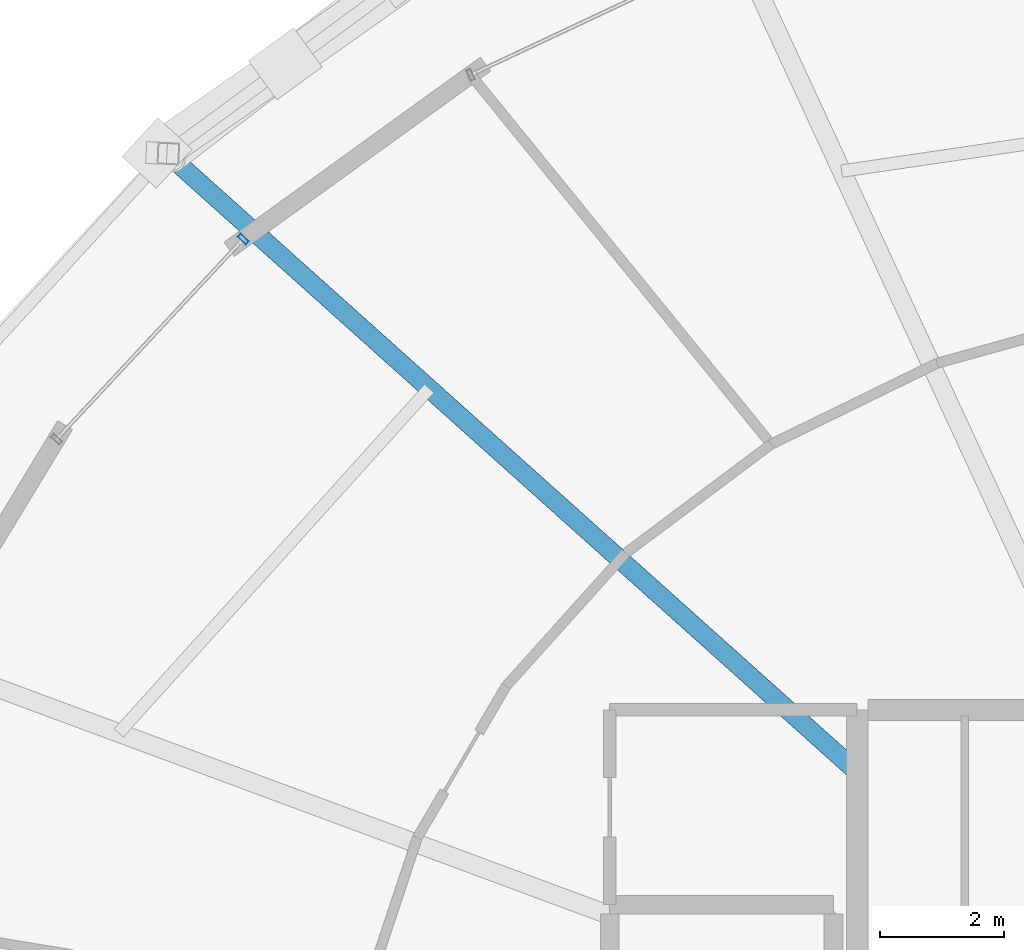
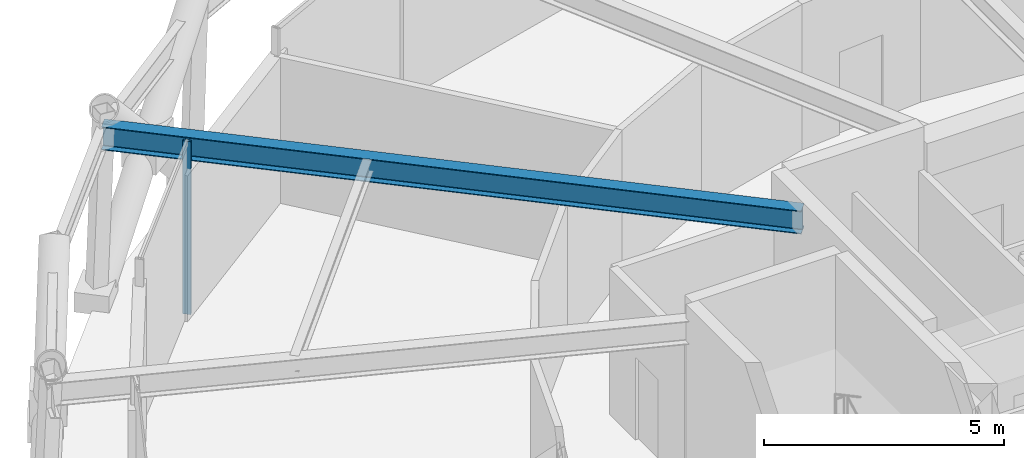
# One storey, part 16 of 29: 1 beam, 1 member, 1 element without a shape of its own.
"""IFC4 building model written with IfcOpenShell, lengths in metres."""

import ifcopenshell
import ifcopenshell.guid

model = None  # the IFC model being written
_history = None  # IfcOwnerHistory: only IFC2X3 demands one
_inside = {}  # id of a spatial element -> (the spatial element, [elements in it])
_under = {}  # id of a project, library or spatial element -> (it, [spatial elements below it])
_declared = {}  # id of a project -> (the project, [libraries it declares])
_typed = {}  # id of a type object -> (the type object, [elements of that type])
_made_of = {}  # id of a material, layer set ... -> (it, [elements and type objects made of it])


def new_model(schema):
    """Start an empty IFC model of exactly this schema.

    Asked for "IFC4X3", IfcOpenShell would pick the latest addendum, in which some entities
    have other attributes; the version numbers below select the first issue.
    IFC2X3 requires an IfcOwnerHistory on every rooted entity: one is made here for all.
    """
    global model, _history
    if schema == "IFC4X3":
        model = ifcopenshell.file(schema_version=(4, 3, 0, 0))
    else:
        model = ifcopenshell.file(schema=schema)
    _inside.clear()
    _under.clear()
    _declared.clear()
    _typed.clear()
    _made_of.clear()
    _history = None
    if model.schema == "IFC2X3":
        org = make("IfcOrganization", Name="unknown")
        user = make(
            "IfcPersonAndOrganization",
            ThePerson=make("IfcPerson", FamilyName="unknown"),
            TheOrganization=org,
        )
        app = make(
            "IfcApplication",
            ApplicationDeveloper=org,
            Version="unknown",
            ApplicationFullName="unknown",
            ApplicationIdentifier="unknown",
        )
        _history = make(
            "IfcOwnerHistory",
            OwningUser=user,
            OwningApplication=app,
            ChangeAction="ADDED",
            CreationDate=0,
        )
    return model


def make(cls, **values):
    """One entity of the class cls with the attributes given. An attribute that is None is left unset."""
    return model.create_entity(
        cls, **{name: value for name, value in values.items() if value is not None}
    )


def rooted(cls, **values):
    """An entity with a GlobalId (a new one), such as an element, a storey or a relation."""
    return make(cls, GlobalId=ifcopenshell.guid.new(), OwnerHistory=_history, **values)


def si_unit(unit_type, name, prefix=None):
    """IfcSIUnit, for example si_unit("LENGTHUNIT", "METRE", prefix="MILLI")."""
    return make("IfcSIUnit", UnitType=unit_type, Prefix=prefix, Name=name)


def assignment(units):
    """IfcUnitAssignment: the units of a project."""
    return None if units is None else make("IfcUnitAssignment", Units=units)


def point(xyz):
    """IfcCartesianPoint."""
    return None if xyz is None else make("IfcCartesianPoint", Coordinates=xyz)


def direction(xyz):
    """IfcDirection."""
    return None if xyz is None else make("IfcDirection", DirectionRatios=xyz)


def frame(location, z_axis=None, x_axis=None):
    """IfcAxis2Placement3D, a coordinate frame: its origin and axes. An axis left out is left unset."""
    return make(
        "IfcAxis2Placement3D",
        Location=point(location),
        Axis=direction(z_axis),
        RefDirection=direction(x_axis),
    )


def frame_2d(location, x_axis=None):
    """IfcAxis2Placement2D, a coordinate frame in the plane: its origin and x axis."""
    return make(
        "IfcAxis2Placement2D", Location=point(location), RefDirection=direction(x_axis)
    )


def origin():
    """The frame at (0, 0, 0) with its axes left unset."""
    return frame((0.0, 0.0, 0.0))


def origin_2d():
    """The frame at (0, 0) in the plane with its x axis left unset."""
    return frame_2d((0.0, 0.0))


def place(relative_to, where):
    """IfcLocalPlacement: puts the frame where relative to a parent placement (None: the world)."""
    return make(
        "IfcLocalPlacement", PlacementRelTo=relative_to, RelativePlacement=where
    )


def context(
    kind, dimensions, precision=None, world=None, true_north=None, identifier=None
):
    """IfcGeometricRepresentationContext, for example the 3D "Model" context."""
    return make(
        "IfcGeometricRepresentationContext",
        ContextIdentifier=identifier,
        ContextType=kind,
        CoordinateSpaceDimension=dimensions,
        Precision=precision,
        WorldCoordinateSystem=world,
        TrueNorth=true_north,
    )


def subcontext(parent, identifier, kind, view, scale=None):
    """IfcGeometricRepresentationSubContext, for example "Body" below "Model"."""
    return make(
        "IfcGeometricRepresentationSubContext",
        ContextIdentifier=identifier,
        ContextType=kind,
        ParentContext=parent,
        TargetScale=scale,
        TargetView=view,
    )


def project(units=None, contexts=None):
    """IfcProject with its units and contexts."""
    return rooted(
        "IfcProject",
        Name="project",
        RepresentationContexts=contexts,
        UnitsInContext=assignment(units),
    )


def spatial(cls, under=None, at=None, **own):
    """A site, building, storey or space (cls), placed at a placement, below another one or the project."""
    s = rooted(cls, ObjectPlacement=at, **own)
    if under is not None:
        _under.setdefault(under.id(), (under, []))[1].append(s)
    return s


def profile(cls, at=None, kind="AREA", **sizes):
    """A parametric profile (cls). Its sizes go by their IFC names, for example OverallWidth=200.0."""
    return make(cls, ProfileType=kind, Position=at, **sizes)


def hollow_rectangle(**sizes):
    """IfcRectangleHollowProfileDef."""
    return profile("IfcRectangleHollowProfileDef", **sizes)


def i_section(**sizes):
    """IfcIShapeProfileDef."""
    return profile("IfcIShapeProfileDef", **sizes)


def extrude(swept, where, along, depth):
    """IfcExtrudedAreaSolid: the profile swept, set in the frame where, extruded along a direction by depth."""
    return make(
        "IfcExtrudedAreaSolid",
        SweptArea=swept,
        Position=where,
        ExtrudedDirection=direction(along),
        Depth=depth,
    )


def shape(context_of_items, identifier, shape_type, items):
    """IfcShapeRepresentation: the items that make up one representation, for example the "Body"."""
    return make(
        "IfcShapeRepresentation",
        ContextOfItems=context_of_items,
        RepresentationIdentifier=identifier,
        RepresentationType=shape_type,
        Items=items,
    )


def material(Name=None, Category=None):
    """IfcMaterial."""
    return make("IfcMaterial", Name=Name, Category=Category)


def layer(
    of_material, thickness, ventilated=None, Name=None, Category=None, Priority=None
):
    """IfcMaterialLayer: one layer of a wall or slab, of a material (None: an air gap)."""
    return make(
        "IfcMaterialLayer",
        Material=of_material,
        LayerThickness=thickness,
        IsVentilated=ventilated,
        Name=Name,
        Category=Category,
        Priority=Priority,
    )


def layer_set(layers, Name=None):
    """IfcMaterialLayerSet."""
    return make("IfcMaterialLayerSet", MaterialLayers=layers, LayerSetName=Name)


def material_profile(
    of_material, cross_section, Name=None, Category=None, Priority=None
):
    """IfcMaterialProfile: a cross section and its material."""
    return make(
        "IfcMaterialProfile",
        Name=Name,
        Material=of_material,
        Profile=cross_section,
        Priority=Priority,
        Category=Category,
    )


def profile_set(profiles, Name=None, composite=None):
    """IfcMaterialProfileSet."""
    return make(
        "IfcMaterialProfileSet",
        Name=Name,
        MaterialProfiles=profiles,
        CompositeProfile=composite,
    )


def made_of(thing, what):
    """Note that an element or type object is made of a material, layer set ...; save() writes the relation."""
    if what is not None:
        _made_of.setdefault(what.id(), (what, []))[1].append(thing)
    return thing


def type_object(cls, material=None, **own):
    """A type object (cls), such as IfcWallType, which elements share."""
    return made_of(rooted(cls, **own), material)


def element(
    cls,
    number,
    at=None,
    inside=None,
    cuts=None,
    type_object=None,
    material=None,
    context=None,
    identifier="Body",
    shape_type=None,
    held_by="IfcProductDefinitionShape",
    body=None,
    shapes=None,
    **own,
):
    """One element of the class cls, such as IfcWall. Its Tag is "e" and its number.

    at: its placement. inside: the storey or other place that contains it. cuts: it is an
    opening in that element (IfcRelVoidsElement). A single representation is given by context,
    identifier, shape_type and body (its items); several are given by shapes. held_by: the class
    of the entity that holds the representations. save() writes the other relations.
    """
    e = rooted(cls, Tag="e%d" % number, ObjectPlacement=at, **own)
    if body is not None:
        shapes = [shape(context, identifier, shape_type, body)]
    if shapes is not None:
        e.Representation = make(held_by, Representations=shapes)
    if inside is not None:
        _inside.setdefault(inside.id(), (inside, []))[1].append(e)
    if cuts is not None:
        rooted(
            "IfcRelVoidsElement", RelatingBuildingElement=cuts, RelatedOpeningElement=e
        )
    if type_object is not None:
        _typed.setdefault(type_object.id(), (type_object, []))[1].append(e)
    return made_of(e, material)


def aggregate(whole, parts):
    """IfcRelAggregates: a whole, such as a stair, and the parts it consists of."""
    return rooted("IfcRelAggregates", RelatingObject=whole, RelatedObjects=parts)


def save(model, path):
    """Write the relations noted so far, then the file.

    IfcRelAggregates (storeys below a building ...), IfcRelContainedInSpatialStructure (elements
    in a storey), IfcRelDefinesByType, IfcRelAssociatesMaterial and IfcRelDeclares: one each for
    every whole, place, type object, material and project.
    """
    for whole, parts in _under.values():
        aggregate(whole, parts)
    for where, things in _inside.values():
        rooted(
            "IfcRelContainedInSpatialStructure",
            RelatedElements=things,
            RelatingStructure=where,
        )
    for kind, things in _typed.values():
        rooted("IfcRelDefinesByType", RelatedObjects=things, RelatingType=kind)
    for what, things in _made_of.values():
        rooted("IfcRelAssociatesMaterial", RelatedObjects=things, RelatingMaterial=what)
    for by, libraries in _declared.values():
        rooted("IfcRelDeclares", RelatingContext=by, RelatedDefinitions=libraries)
    model.write(path)


model = new_model("IFC4")

# Units and contexts
model_context = context("Model", 3, precision=1e-05, world=origin(), true_north=direction((0.0, 1.0)))
body_context = subcontext(model_context, "Body", "Model", "MODEL_VIEW")
ifc_project = project(units=[si_unit("LENGTHUNIT", "METRE"), si_unit("AREAUNIT", "SQUARE_METRE"), si_unit("VOLUMEUNIT", "CUBIC_METRE"), si_unit("PLANEANGLEUNIT", "RADIAN"), si_unit("MASSUNIT", "GRAM", prefix="KILO")], contexts=[model_context])

# Site, building, storey
site_placement = place(None, origin())
site = spatial("IfcSite", under=ifc_project, at=site_placement, CompositionType="ELEMENT")
building_placement = place(site_placement, origin())
building = spatial("IfcBuilding", under=site, at=building_placement, Name="Veldorina Hangang Commons", CompositionType="ELEMENT")
storey_placement = place(building_placement, frame((0.0, 0.0, 203.60009765625)))
storey = spatial("IfcBuildingStorey", under=building, at=storey_placement, Name="L53", CompositionType="ELEMENT", Elevation=203.60009765625)

# Beam
ifc_material_1 = material(Name="Steel SM460-TMC", Category="steel")
ifc_material_profile_1 = material_profile(ifc_material_1, i_section(OverallWidth=0.300048828125, OverallDepth=0.587890625, WebThickness=0.011962890625, FlangeThickness=0.02001953125, FilletRadius=0.01806640625, at=origin_2d()), Name="H-588x300x12x20")
ifc_profile_set_1 = profile_set([ifc_material_profile_1], Name="Steel SM460-TMC")
beam_type = type_object("IfcBeamType", Name="BM-FG588", PredefinedType="BEAM", material=ifc_profile_set_1)
beam_placement = place(storey_placement, frame((24.800048828125, 30.451171875, 4.14599609375), z_axis=(-0.744767846617, 0.667323650596, 0.0), x_axis=(-0.667323650596, -0.744767846617, 0.0)))
element("IfcBeam", 1, at=beam_placement, inside=storey, type_object=beam_type, Name="L53 radial floor girder 07", PredefinedType="BEAM", context=body_context, shape_type="SweptSolid", body=[
    extrude(i_section(OverallWidth=0.300048828125, OverallDepth=0.587890625, WebThickness=0.011962890625, FlangeThickness=0.02001953125, FilletRadius=0.01806640625, at=origin_2d()), origin(), (0.0, 0.0, 1.0), 14.907958984375),
])

# Curtain wall, member
ifc_material_2 = material(Name="Glass Acoustic Laminated", Category="glass")
ifc_layer = layer(ifc_material_2, 0.179931640625)
ifc_layer_set = layer_set([ifc_layer], Name="Glass Acoustic Laminated")
curtain_wall_type = type_object("IfcCurtainWallType", Name="CW-SYS-SKY", PredefinedType="NOTDEFINED", material=ifc_layer_set)
curtain_wall_placement = place(storey_placement, origin())
curtain_wall = element("IfcCurtainWall", 2, at=curtain_wall_placement, inside=storey, type_object=curtain_wall_type, Name="L53 unitised curtain wall CW-L53-R5", PredefinedType="NOTDEFINED")
ifc_material_3 = material(Name="Aluminium Anodized AA6063-T6", Category="aluminium")
ifc_material_profile_2 = material_profile(ifc_material_3, hollow_rectangle(XDim=0.070068359375, YDim=0.179931640625, WallThickness=0.00390625, at=origin_2d()), Name="ALU-RHS-180x70x4")
ifc_profile_set_2 = profile_set([ifc_material_profile_2], Name="Aluminium Anodized AA6063-T6")
member_type = type_object("IfcMemberType", Name="CW-MUL-180", PredefinedType="MULLION", material=ifc_profile_set_2)
member_placement = place(storey_placement, frame((14.926025390625, 39.02099609375, 0.0), z_axis=(0.0, 0.0, 1.0), x_axis=(-0.682113232419, -0.731246564545, 0.0)))
member = element("IfcMember", 3, at=member_placement, type_object=member_type, Name="CW-L53-R5 vertical mullion 1", PredefinedType="MULLION", context=body_context, shape_type="SweptSolid", body=[
    extrude(hollow_rectangle(XDim=0.070068359375, YDim=0.179931640625, WallThickness=0.00390625, at=origin_2d()), origin(), (0.0, 0.0, 1.0), 4.39990234375),
])
aggregate(curtain_wall, [member])

save(model, "model.ifc")
